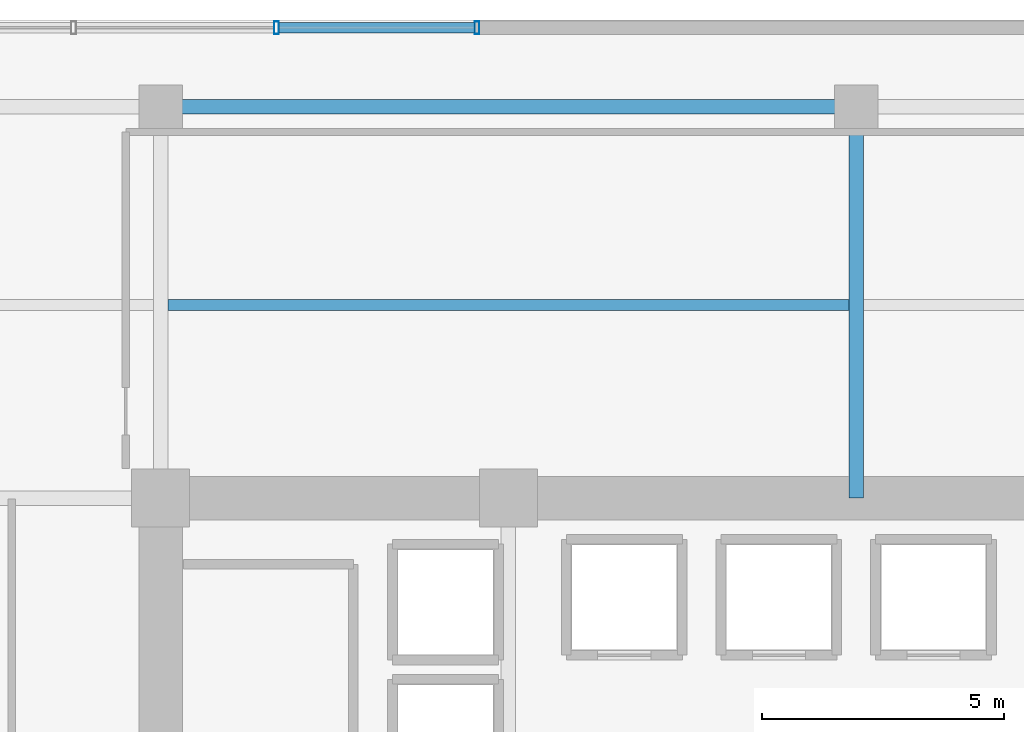
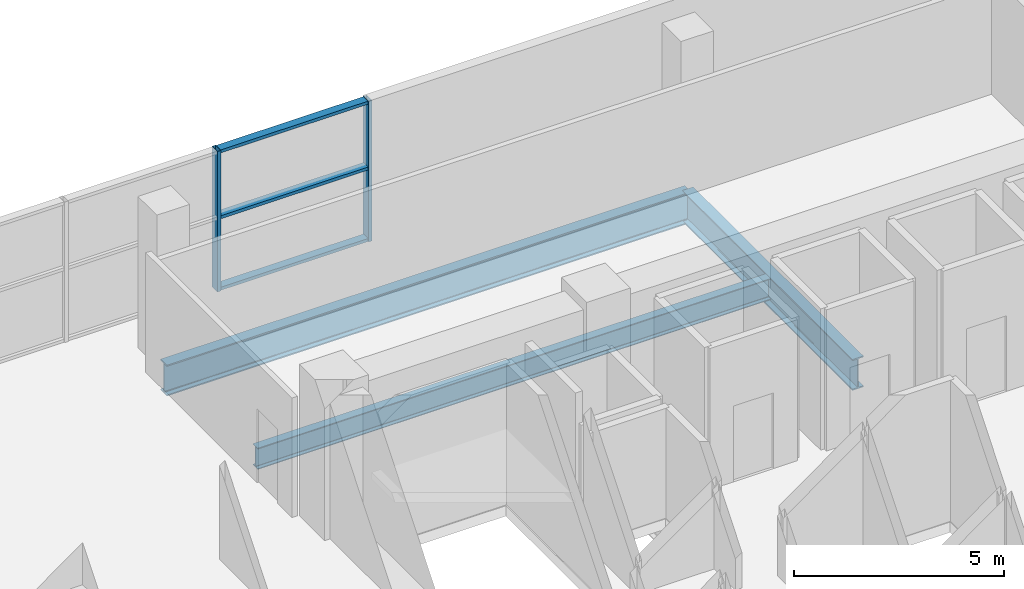
# One storey, part 8 of 23: 5 members, 3 beams, 1 element without a shape of its own.
"""IFC4 building model written with IfcOpenShell, lengths in metres."""

from ifc_helpers import new_model, si_unit, direction, frame, origin, origin_2d, place, context, subcontext, project, spatial, hollow_rectangle, i_section, extrude, source, transform, mapped, material, layer, layer_set, material_profile, profile_set, type_object, element, aggregate, save


model = new_model("IFC4")

# Units and contexts
model_context = context("Model", 3, precision=1e-05, world=origin(), true_north=direction((0.0, 1.0)))
body_context = subcontext(model_context, "Body", "Model", "MODEL_VIEW")
ifc_project = project(units=[si_unit("LENGTHUNIT", "METRE"), si_unit("AREAUNIT", "SQUARE_METRE"), si_unit("VOLUMEUNIT", "CUBIC_METRE"), si_unit("PLANEANGLEUNIT", "RADIAN"), si_unit("MASSUNIT", "GRAM", prefix="KILO")], contexts=[model_context])

# Site, building, storey
site_placement = place(None, origin())
site = spatial("IfcSite", under=ifc_project, at=site_placement, CompositionType="ELEMENT")
building_placement = place(site_placement, origin())
building = spatial("IfcBuilding", under=site, at=building_placement, Name="Zarnakvel Exchange Tower", CompositionType="ELEMENT")
storey_placement = place(building_placement, frame((0.0, 0.0, 13.800048828125)))
storey = spatial("IfcBuildingStorey", under=building, at=storey_placement, Name="L03", CompositionType="ELEMENT", Elevation=13.800048828125)

# Beams
ifc_material_1 = material(Name="Steel S355", Category="steel")
ifc_material_profile_1 = material_profile(ifc_material_1, i_section(OverallWidth=0.230224609375, OverallDepth=0.6171875, WebThickness=0.01318359375, FlangeThickness=0.022216796875, FilletRadius=0.0126953125, at=origin_2d()))
ifc_profile_set_1 = profile_set([ifc_material_profile_1], Name="Steel S355")
beam_type_1 = type_object("IfcBeamType", Name="B-02", PredefinedType="JOIST", material=ifc_profile_set_1)
beam_1_placement = place(storey_placement, frame((-14.25, 17.5, -0.608642578125), z_axis=(1.0, 0.0, 0.0), x_axis=(0.0, 1.0, 0.0)))
element("IfcBeam", 1, at=beam_1_placement, inside=storey, type_object=beam_type_1, Name="L03 North Bay Secondary Floor Joist", PredefinedType="JOIST", context=body_context, shape_type="SweptSolid", body=[
    extrude(i_section(OverallWidth=0.230224609375, OverallDepth=0.6171875, WebThickness=0.01318359375, FlangeThickness=0.022216796875, FilletRadius=0.0126953125, at=origin_2d()), origin(), (0.0, 0.0, 1.0), 14.10009765625),
])
ifc_material_profile_2 = material_profile(ifc_material_1, i_section(OverallWidth=0.300048828125, OverallDepth=0.89990234375, WebThickness=0.0185546875, FlangeThickness=0.034912109375, FilletRadius=0.030029296875, at=origin_2d()))
ifc_profile_set_2 = profile_set([ifc_material_profile_2], Name="Steel S355")
beam_type_2 = type_object("IfcBeamType", Name="G-01", PredefinedType="BEAM", material=ifc_profile_set_2)
beam_2_placement = place(storey_placement, frame((-14.39990234375, 21.60009765625, -0.75), z_axis=(1.0, 0.0, 0.0), x_axis=(0.0, 1.0, 0.0)))
element("IfcBeam", 2, at=beam_2_placement, inside=storey, type_object=beam_type_2, Name="L03 Primary E-W Girder Y=+21.6", PredefinedType="BEAM", context=body_context, shape_type="SweptSolid", body=[
    extrude(i_section(OverallWidth=0.300048828125, OverallDepth=0.89990234375, WebThickness=0.0185546875, FlangeThickness=0.034912109375, FilletRadius=0.030029296875, at=origin_2d()), origin(), (0.0, 0.0, 1.0), 14.39990234375),
])
beam_3_placement = place(storey_placement, frame((0.0, 13.5, -0.75), z_axis=(0.0, 1.0, 0.0), x_axis=(-1.0, 0.0, 0.0)))
element("IfcBeam", 3, at=beam_3_placement, inside=storey, type_object=beam_type_2, Name="L03 Primary N-S Girder X=+0.0 North", PredefinedType="BEAM", context=body_context, shape_type="SweptSolid", body=[
    extrude(i_section(OverallWidth=0.300048828125, OverallDepth=0.89990234375, WebThickness=0.0185546875, FlangeThickness=0.034912109375, FilletRadius=0.030029296875, at=origin_2d()), origin(), (0.0, 0.0, 1.0), 8.10009765625),
])

# Curtain wall, members
ifc_material_2 = material(Name="Architectural Bronze Anodised Aluminium", Category="aluminium")
ifc_layer = layer(ifc_material_2, 0.260009765625)
ifc_layer_set = layer_set([ifc_layer], Name="Architectural Bronze Anodised Aluminium")
curtain_wall_type = type_object("IfcCurtainWallType", Name="CW-01", PredefinedType="NOTDEFINED", material=ifc_layer_set)
curtain_wall_placement = place(storey_placement, origin())
curtain_wall = element("IfcCurtainWall", 4, at=curtain_wall_placement, inside=storey, type_object=curtain_wall_type, Name="L03 Curtain Wall CW-L03-N1 (CW-01)", PredefinedType="NOTDEFINED")
ifc_material_profile_3 = material_profile(ifc_material_2, hollow_rectangle(XDim=0.219970703125, YDim=0.090087890625, WallThickness=0.0048828125, at=origin_2d()))
ifc_profile_set_3 = profile_set([ifc_material_profile_3], Name="Architectural Bronze Anodised Aluminium")
member_type_1 = type_object("IfcMemberType", Name="CWT-01", PredefinedType="USERDEFINED", material=ifc_profile_set_3)
shared_shape_1 = source(origin(), body_context, "Body", "SweptSolid", [
    extrude(hollow_rectangle(XDim=0.219970703125, YDim=0.090087890625, WallThickness=0.0048828125, at=origin_2d()), origin(), (0.0, 0.0, 1.0), 4.050048828125),
])
member_1_placement = place(storey_placement, frame((-11.949951171875, 23.239990234375, 0.044921875), z_axis=(1.0, 0.0, 0.0), x_axis=(0.0, 1.0, 0.0)))
member_1 = element("IfcMember", 5, at=member_1_placement, type_object=member_type_1, Name="CW-01 transom 3.1", ObjectType="TRANSOM", PredefinedType="USERDEFINED", context=body_context, shape_type="MappedRepresentation", body=[
    mapped(shared_shape_1, transform((0.0, 0.0, 0.0), x_axis=(1.0, 0.0, 0.0), y_axis=(0.0, 1.0, 0.0), z_axis=(0.0, 0.0, 1.0), scale=1.0)),
])
member_2_placement = place(storey_placement, frame((-11.949951171875, 23.239990234375, 2.12158203125), z_axis=(1.0, 0.0, 0.0), x_axis=(0.0, 1.0, 0.0)))
member_2 = element("IfcMember", 6, at=member_2_placement, type_object=member_type_1, Name="CW-01 transom 3.2", ObjectType="TRANSOM", PredefinedType="USERDEFINED", context=body_context, shape_type="MappedRepresentation", body=[
    mapped(shared_shape_1, transform((0.0, 0.0, 0.0), x_axis=(1.0, 0.0, 0.0), y_axis=(0.0, 1.0, 0.0), z_axis=(0.0, 0.0, 1.0), scale=1.0)),
])
member_3_placement = place(storey_placement, frame((-11.949951171875, 23.239990234375, 4.034912109375), z_axis=(1.0, 0.0, 0.0), x_axis=(0.0, 1.0, 0.0)))
member_3 = element("IfcMember", 7, at=member_3_placement, type_object=member_type_1, Name="CW-01 transom 3.3", ObjectType="TRANSOM", PredefinedType="USERDEFINED", context=body_context, shape_type="MappedRepresentation", body=[
    mapped(shared_shape_1, transform((0.0, 0.0, 0.0), x_axis=(1.0, 0.0, 0.0), y_axis=(0.0, 1.0, 0.0), z_axis=(0.0, 0.0, 1.0), scale=1.0)),
])
ifc_material_profile_4 = material_profile(ifc_material_2, hollow_rectangle(XDim=0.260009765625, YDim=0.10009765625, WallThickness=0.006103515625, at=origin_2d()))
ifc_profile_set_4 = profile_set([ifc_material_profile_4], Name="Architectural Bronze Anodised Aluminium")
member_type_2 = type_object("IfcMemberType", Name="CWM-01", PredefinedType="MULLION", material=ifc_profile_set_4)
shared_shape_2 = source(origin(), body_context, "Body", "SweptSolid", [
    extrude(hollow_rectangle(XDim=0.260009765625, YDim=0.10009765625, WallThickness=0.006103515625, at=origin_2d()), origin(), (0.0, 0.0, 1.0), 4.079833984375),
])
member_4_placement = place(storey_placement, frame((-12.0, 23.239990234375, 0.0), z_axis=(0.0, 0.0, 1.0), x_axis=(0.0, 1.0, 0.0)))
member_4 = element("IfcMember", 8, at=member_4_placement, type_object=member_type_2, Name="CW-01 mullion 3", PredefinedType="MULLION", context=body_context, shape_type="MappedRepresentation", body=[
    mapped(shared_shape_2, transform((0.0, 0.0, 0.0), x_axis=(1.0, 0.0, 0.0), y_axis=(0.0, 1.0, 0.0), z_axis=(0.0, 0.0, 1.0), scale=1.0)),
])
member_5_placement = place(storey_placement, frame((-7.85009765625, 23.239990234375, 0.0), z_axis=(0.0, 0.0, 1.0), x_axis=(0.0, 1.0, 0.0)))
member_5 = element("IfcMember", 9, at=member_5_placement, type_object=member_type_2, Name="CW-01 mullion 4", PredefinedType="MULLION", context=body_context, shape_type="MappedRepresentation", body=[
    mapped(shared_shape_2, transform((0.0, 0.0, 0.0), x_axis=(1.0, 0.0, 0.0), y_axis=(0.0, 1.0, 0.0), z_axis=(0.0, 0.0, 1.0), scale=1.0)),
])
aggregate(curtain_wall, [member_4, member_5, member_1, member_2, member_3])

save(model, "model.ifc")
